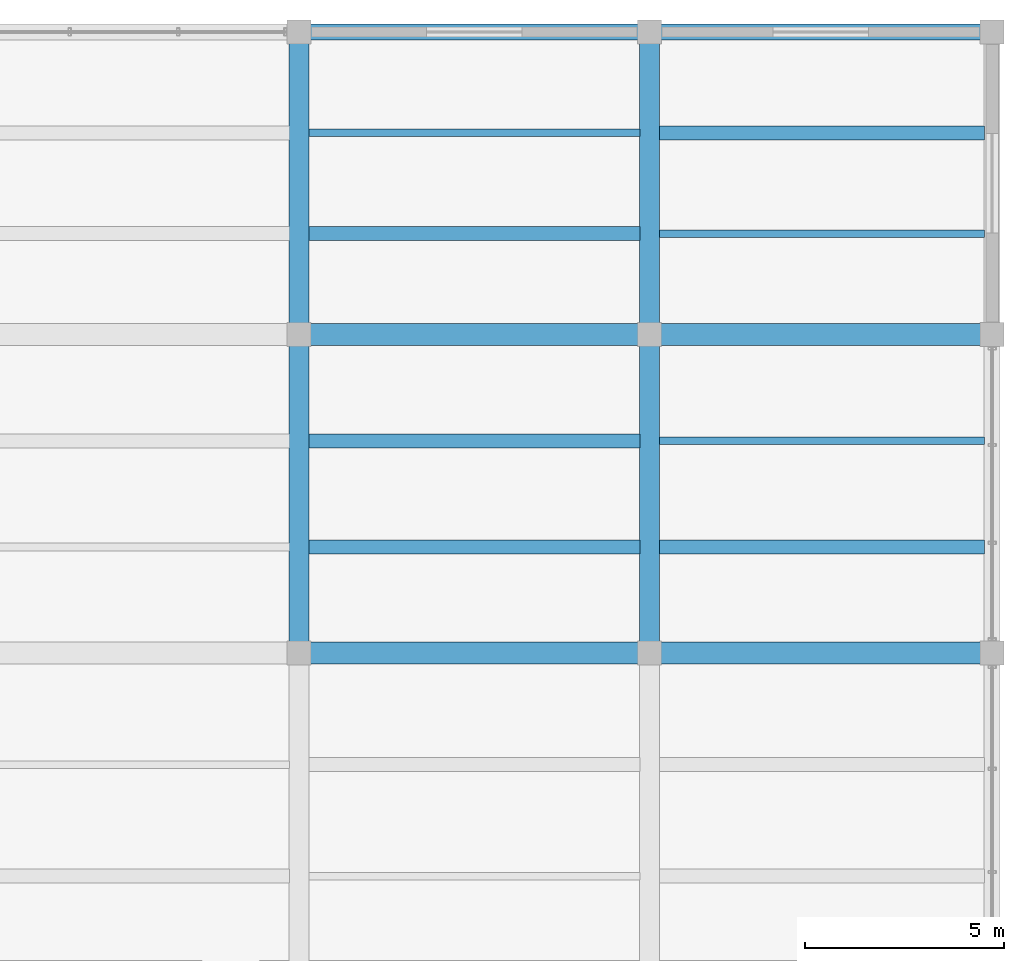
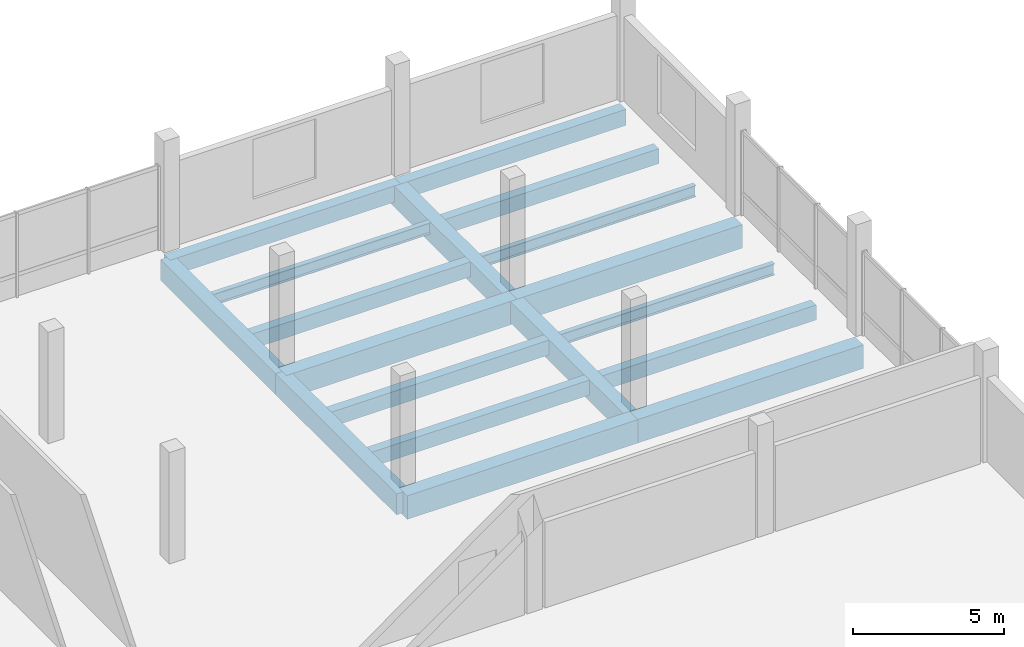
# One storey, part 58 of 77: 18 beams.
"""IFC4 building model written with IfcOpenShell, lengths in metres."""

from ifc_helpers import new_model, si_unit, direction, frame, origin, origin_2d, place, context, subcontext, project, spatial, rectangle, i_section, extrude, material, material_profile, profile_set, type_object, element, save


model = new_model("IFC4")

# Units and contexts
model_context = context("Model", 3, precision=1e-05, world=origin(), true_north=direction((0.0, 1.0)))
body_context = subcontext(model_context, "Body", "Model", "MODEL_VIEW")
ifc_project = project(units=[si_unit("LENGTHUNIT", "METRE"), si_unit("AREAUNIT", "SQUARE_METRE"), si_unit("VOLUMEUNIT", "CUBIC_METRE"), si_unit("PLANEANGLEUNIT", "RADIAN"), si_unit("MASSUNIT", "GRAM", prefix="KILO")], contexts=[model_context])

# Site, building, storey
site_placement = place(None, origin())
site = spatial("IfcSite", under=ifc_project, at=site_placement, CompositionType="ELEMENT")
building_placement = place(site_placement, origin())
building = spatial("IfcBuilding", under=site, at=building_placement, Name="Meriwether Solvik Hall", CompositionType="ELEMENT")
storey_placement = place(building_placement, frame((0.0, 0.0, 9.89990234375)))
storey = spatial("IfcBuildingStorey", under=building, at=storey_placement, Name="L02", CompositionType="ELEMENT", Elevation=9.89990234375)

# Beams
ifc_material_1 = material(Name="Concrete C40/50", Category="concrete")
ifc_material_profile_1 = material_profile(ifc_material_1, rectangle(XDim=0.35009765625, YDim=0.60009765625, at=origin_2d()), Name="RCB-350X600")
ifc_profile_set_1 = profile_set([ifc_material_profile_1], Name="Concrete C40/50")
beam_type_1 = type_object("IfcBeamType", Name="BM-RC-350X600", PredefinedType="JOIST", material=ifc_profile_set_1)
for number, where, z_axis, x_axis, name in (
    (1, (149.64501953125, 103.86669921875, -0.75), (1.0, 0.0, 0.0), (0.0, 1.0, 0.0), "Secondary Floor Joist 17/L_J1 (L02)"),
    (2, (149.64501953125, 106.533203125, -0.75), (1.0, 0.0, 0.0), (0.0, 1.0, 0.0), "Secondary Floor Joist 17/L_J2 (L02)"),
    (3, (149.64501953125, 111.7333984375, -0.75), (1.0, 0.0, 0.0), (0.0, 1.0, 0.0), "Secondary Floor Joist 17/M_J1 (L02)"),
):
    element("IfcBeam", number, at=place(storey_placement, frame(where, z_axis=z_axis, x_axis=x_axis)), inside=storey, type_object=beam_type_1, Name=name, PredefinedType="JOIST", context=body_context, shape_type="SweptSolid", body=[
        extrude(rectangle(XDim=0.35009765625, YDim=0.60009765625, at=origin_2d()), origin(), (0.0, 0.0, 1.0), 8.31005859375),
    ])
for number, where, z_axis, x_axis, name in (
    (4, (158.445068359375, 103.86669921875, -0.75), (1.0, 0.0, 0.0), (0.0, 1.0, 0.0), "Secondary Floor Joist 18/L_J1 (L02)"),
    (5, (158.445068359375, 114.2666015625, -0.75), (1.0, 0.0, 0.0), (0.0, 1.0, 0.0), "Secondary Floor Joist 18/M_J2 (L02)"),
):
    element("IfcBeam", number, at=place(storey_placement, frame(where, z_axis=z_axis, x_axis=x_axis)), inside=storey, type_object=beam_type_1, Name=name, PredefinedType="JOIST", context=body_context, shape_type="SweptSolid", body=[
        extrude(rectangle(XDim=0.35009765625, YDim=0.60009765625, at=origin_2d()), origin(), (0.0, 0.0, 1.0), 8.159912109375),
    ])
ifc_material_2 = material(Name="Concrete C40/50", Category="concrete")
ifc_material_profile_2 = material_profile(ifc_material_2, rectangle(XDim=0.39990234375, YDim=0.64990234375, at=origin_2d()), Name="RCB-400X650")
ifc_profile_set_2 = profile_set([ifc_material_profile_2], Name="Concrete C40/50")
beam_type_2 = type_object("IfcBeamType", Name="BM-RC-400X650", PredefinedType="SPANDREL", material=ifc_profile_set_2)
beam_1_placement = place(storey_placement, frame((149.39990234375, 116.800048828125, -0.77490234375), z_axis=(1.0, 0.0, 0.0), x_axis=(0.0, 1.0, 0.0)))
element("IfcBeam", 6, at=beam_1_placement, inside=storey, type_object=beam_type_2, Name="Podium Girder N:17-18 (L02)", PredefinedType="SPANDREL", context=body_context, shape_type="SweptSolid", body=[
    extrude(rectangle(XDim=0.39990234375, YDim=0.64990234375, at=origin_2d()), origin(), (0.0, 0.0, 1.0), 8.800048828125),
])
beam_2_placement = place(storey_placement, frame((158.199951171875, 116.800048828125, -0.77490234375), z_axis=(1.0, 0.0, 0.0), x_axis=(0.0, 1.0, 0.0)))
element("IfcBeam", 7, at=beam_2_placement, inside=storey, type_object=beam_type_2, Name="Podium Girder N:18-19 (L02)", PredefinedType="SPANDREL", context=body_context, shape_type="SweptSolid", body=[
    extrude(rectangle(XDim=0.39990234375, YDim=0.64990234375, at=origin_2d()), origin(), (0.0, 0.0, 1.0), 8.60009765625),
])
ifc_material_3 = material(Name="Concrete C40/50", Category="concrete")
ifc_material_profile_3 = material_profile(ifc_material_3, rectangle(XDim=0.5, YDim=0.85009765625, at=origin_2d()), Name="RCB-500X850")
ifc_profile_set_3 = profile_set([ifc_material_profile_3], Name="Concrete C40/50")
beam_type_3 = type_object("IfcBeamType", Name="BM-RC-500X850", PredefinedType="BEAM", material=ifc_profile_set_3)
beam_3_placement = place(storey_placement, frame((149.39990234375, 101.199951171875, -0.875), z_axis=(0.0, 1.0, 0.0), x_axis=(-1.0, 0.0, 0.0)))
element("IfcBeam", 8, at=beam_3_placement, inside=storey, type_object=beam_type_3, Name="Podium Girder 17:L-M (L02)", PredefinedType="BEAM", context=body_context, shape_type="SweptSolid", body=[
    extrude(rectangle(XDim=0.5, YDim=0.85009765625, at=origin_2d()), origin(), (0.0, 0.0, 1.0), 8.0),
])
beam_4_placement = place(storey_placement, frame((149.39990234375, 109.199951171875, -0.875), z_axis=(0.0, 1.0, 0.0), x_axis=(-1.0, 0.0, 0.0)))
element("IfcBeam", 9, at=beam_4_placement, inside=storey, type_object=beam_type_3, Name="Podium Girder 17:M-N (L02)", PredefinedType="BEAM", context=body_context, shape_type="SweptSolid", body=[
    extrude(rectangle(XDim=0.5, YDim=0.85009765625, at=origin_2d()), origin(), (0.0, 0.0, 1.0), 7.60009765625),
])
beam_5_placement = place(storey_placement, frame((158.199951171875, 101.199951171875, -0.875), z_axis=(0.0, 1.0, 0.0), x_axis=(-1.0, 0.0, 0.0)))
element("IfcBeam", 10, at=beam_5_placement, inside=storey, type_object=beam_type_3, Name="Podium Girder 18:L-M (L02)", PredefinedType="BEAM", context=body_context, shape_type="SweptSolid", body=[
    extrude(rectangle(XDim=0.5, YDim=0.85009765625, at=origin_2d()), origin(), (0.0, 0.0, 1.0), 8.0),
])
beam_6_placement = place(storey_placement, frame((158.199951171875, 109.199951171875, -0.875), z_axis=(0.0, 1.0, 0.0), x_axis=(-1.0, 0.0, 0.0)))
element("IfcBeam", 11, at=beam_6_placement, inside=storey, type_object=beam_type_3, Name="Podium Girder 18:M-N (L02)", PredefinedType="BEAM", context=body_context, shape_type="SweptSolid", body=[
    extrude(rectangle(XDim=0.5, YDim=0.85009765625, at=origin_2d()), origin(), (0.0, 0.0, 1.0), 7.60009765625),
])
ifc_material_4 = material(Name="Concrete C40/50", Category="concrete")
ifc_material_profile_4 = material_profile(ifc_material_4, rectangle(XDim=0.550048828125, YDim=0.949951171875, at=origin_2d()), Name="RCB-550X950")
ifc_profile_set_4 = profile_set([ifc_material_profile_4], Name="Concrete C40/50")
beam_type_4 = type_object("IfcBeamType", Name="BM-RC-550X950", PredefinedType="BEAM", material=ifc_profile_set_4)
beam_7_placement = place(storey_placement, frame((149.39990234375, 101.199951171875, -0.9248046875), z_axis=(1.0, 0.0, 0.0), x_axis=(0.0, 1.0, 0.0)))
element("IfcBeam", 12, at=beam_7_placement, inside=storey, type_object=beam_type_4, Name="Podium Girder L:17-18 (L02)", PredefinedType="BEAM", context=body_context, shape_type="SweptSolid", body=[
    extrude(rectangle(XDim=0.550048828125, YDim=0.949951171875, at=origin_2d()), origin(), (0.0, 0.0, 1.0), 8.800048828125),
])
beam_8_placement = place(storey_placement, frame((158.199951171875, 101.199951171875, -0.9248046875), z_axis=(1.0, 0.0, 0.0), x_axis=(0.0, 1.0, 0.0)))
element("IfcBeam", 13, at=beam_8_placement, inside=storey, type_object=beam_type_4, Name="Podium Girder L:18-19 (L02)", PredefinedType="BEAM", context=body_context, shape_type="SweptSolid", body=[
    extrude(rectangle(XDim=0.550048828125, YDim=0.949951171875, at=origin_2d()), origin(), (0.0, 0.0, 1.0), 8.60009765625),
])
beam_9_placement = place(storey_placement, frame((149.39990234375, 109.199951171875, -0.9248046875), z_axis=(1.0, 0.0, 0.0), x_axis=(0.0, 1.0, 0.0)))
element("IfcBeam", 14, at=beam_9_placement, inside=storey, type_object=beam_type_4, Name="Podium Girder M:17-18 (L02)", PredefinedType="BEAM", context=body_context, shape_type="SweptSolid", body=[
    extrude(rectangle(XDim=0.550048828125, YDim=0.949951171875, at=origin_2d()), origin(), (0.0, 0.0, 1.0), 8.800048828125),
])
beam_10_placement = place(storey_placement, frame((158.199951171875, 109.199951171875, -0.9248046875), z_axis=(1.0, 0.0, 0.0), x_axis=(0.0, 1.0, 0.0)))
element("IfcBeam", 15, at=beam_10_placement, inside=storey, type_object=beam_type_4, Name="Podium Girder M:18-19 (L02)", PredefinedType="BEAM", context=body_context, shape_type="SweptSolid", body=[
    extrude(rectangle(XDim=0.550048828125, YDim=0.949951171875, at=origin_2d()), origin(), (0.0, 0.0, 1.0), 8.60009765625),
])
ifc_material_5 = material(Name="Steel A992 Grade 50", Category="steel")
ifc_material_profile_5 = material_profile(ifc_material_5, i_section(OverallWidth=0.19091796875, OverallDepth=0.45703125, WebThickness=0.009033203125, FlangeThickness=0.014404296875, at=origin_2d()), Name="W18X50")
ifc_profile_set_5 = profile_set([ifc_material_profile_5], Name="Steel A992 Grade 50")
beam_type_5 = type_object("IfcBeamType", Name="BM-STL-W18X50", PredefinedType="JOIST", material=ifc_profile_set_5)
beam_11_placement = place(storey_placement, frame((149.64501953125, 114.2666015625, -0.678466796875), z_axis=(1.0, 0.0, 0.0), x_axis=(0.0, 1.0, 0.0)))
element("IfcBeam", 16, at=beam_11_placement, inside=storey, type_object=beam_type_5, Name="Secondary Floor Joist 17/M_J2 (L02)", PredefinedType="JOIST", context=body_context, shape_type="SweptSolid", body=[
    extrude(i_section(OverallWidth=0.19091796875, OverallDepth=0.45703125, WebThickness=0.009033203125, FlangeThickness=0.014404296875, at=origin_2d()), origin(), (0.0, 0.0, 1.0), 8.31005859375),
])
for number, where, z_axis, x_axis, name in (
    (17, (158.445068359375, 106.533203125, -0.678466796875), (1.0, 0.0, 0.0), (0.0, 1.0, 0.0), "Secondary Floor Joist 18/L_J2 (L02)"),
    (18, (158.445068359375, 111.7333984375, -0.678466796875), (1.0, 0.0, 0.0), (0.0, 1.0, 0.0), "Secondary Floor Joist 18/M_J1 (L02)"),
):
    element("IfcBeam", number, at=place(storey_placement, frame(where, z_axis=z_axis, x_axis=x_axis)), inside=storey, type_object=beam_type_5, Name=name, PredefinedType="JOIST", context=body_context, shape_type="SweptSolid", body=[
        extrude(i_section(OverallWidth=0.19091796875, OverallDepth=0.45703125, WebThickness=0.009033203125, FlangeThickness=0.014404296875, at=origin_2d()), origin(), (0.0, 0.0, 1.0), 8.159912109375),
    ])

save(model, "model.ifc")
